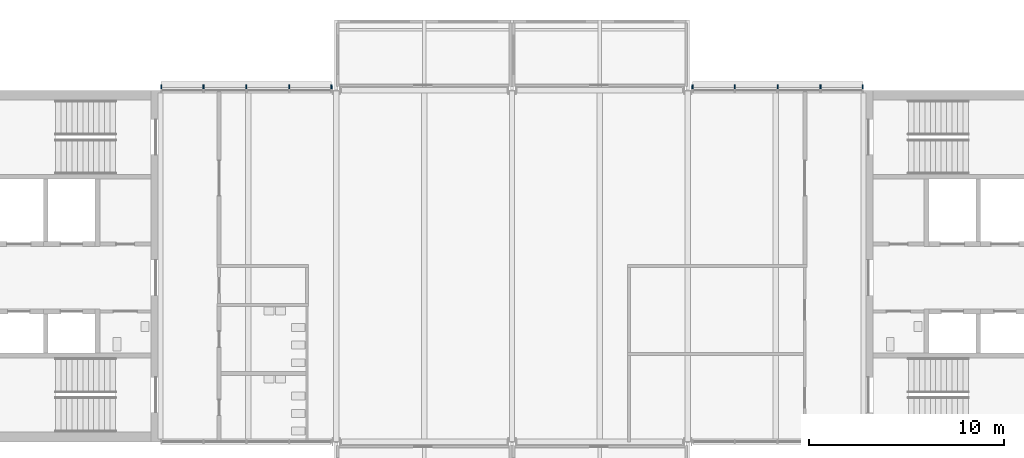
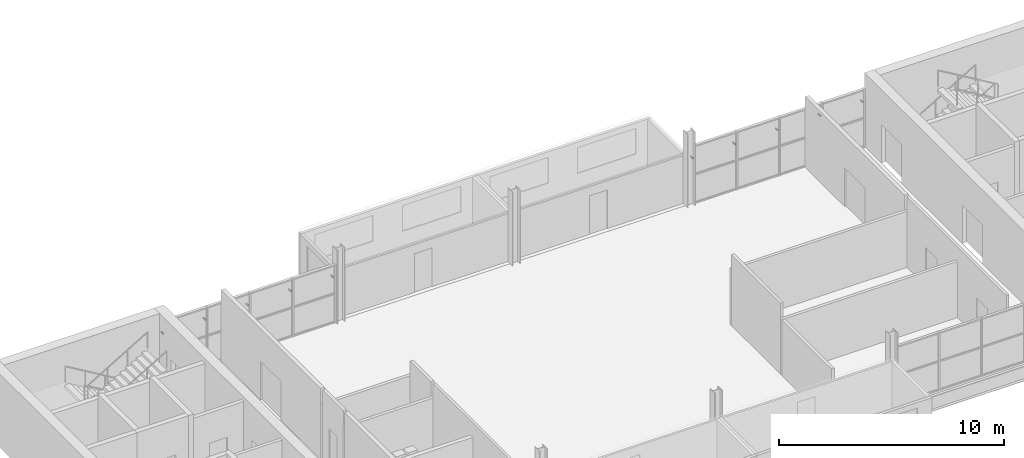
# One storey, part 8 of 10: 10 discrete accessories.
"""IFC4 building model written with IfcOpenShell, lengths in metres."""

from ifc_helpers import new_model, si_unit, direction, frame, origin, origin_2d, place, context, subcontext, project, spatial, rectangle, extrude, material, type_object, element, save


model = new_model("IFC4")

# Units and contexts
model_context = context("Model", 3, precision=1e-05, world=origin(), true_north=direction((0.0, 1.0)))
body_context = subcontext(model_context, "Body", "Model", "MODEL_VIEW")
ifc_project = project(units=[si_unit("LENGTHUNIT", "METRE"), si_unit("AREAUNIT", "SQUARE_METRE"), si_unit("VOLUMEUNIT", "CUBIC_METRE"), si_unit("PLANEANGLEUNIT", "RADIAN"), si_unit("MASSUNIT", "GRAM", prefix="KILO")], contexts=[model_context])

# Site, building, storey
site_placement = place(None, origin())
site = spatial("IfcSite", under=ifc_project, at=site_placement, CompositionType="ELEMENT")
building_placement = place(site_placement, origin())
building = spatial("IfcBuilding", under=site, at=building_placement, Name="Corbel Yard City Hall", CompositionType="ELEMENT")
storey_placement = place(building_placement, frame((0.0, 0.0, 27.199951171875)))
storey = spatial("IfcBuildingStorey", under=building, at=storey_placement, Name="L06", CompositionType="ELEMENT", Elevation=27.199951171875)

# Discrete accessories
ifc_material = material(Name="Steel Grade 300 (300 MPa yield)", Category="steel")
discrete_accessory_type = type_object("IfcDiscreteAccessoryType", Name="BK1", PredefinedType="BRACKET", material=ifc_material)
for number, where, z_axis, x_axis, name in (
    (1, (9.032470703125, 117.18994140625, 2.33251953125), (0.0, 0.0, 1.0), (1.0, 0.0, 0.0), "Louvre bracket"),
    (2, (11.1982421875, 117.18994140625, 2.33251953125), (0.0, 0.0, 1.0), (1.0, 0.0, 0.0), "Louvre bracket"),
    (3, (13.396484375, 117.18994140625, 2.33251953125), (0.0, 0.0, 1.0), (1.0, 0.0, 0.0), "Louvre bracket"),
    (4, (15.5947265625, 117.18994140625, 2.33251953125), (0.0, 0.0, 1.0), (1.0, 0.0, 0.0), "Louvre bracket"),
    (5, (17.760498046875, 117.18994140625, 2.33251953125), (0.0, 0.0, 1.0), (1.0, 0.0, 0.0), "Louvre bracket"),
    (6, (36.239501953125, 117.18994140625, 2.33251953125), (0.0, 0.0, 1.0), (1.0, 0.0, 0.0), "Louvre bracket"),
    (7, (38.4052734375, 117.18994140625, 2.33251953125), (0.0, 0.0, 1.0), (1.0, 0.0, 0.0), "Louvre bracket"),
    (8, (40.603515625, 117.18994140625, 2.33251953125), (0.0, 0.0, 1.0), (1.0, 0.0, 0.0), "Louvre bracket"),
    (9, (42.8017578125, 117.18994140625, 2.33251953125), (0.0, 0.0, 1.0), (1.0, 0.0, 0.0), "Louvre bracket"),
    (10, (44.967529296875, 117.18994140625, 2.33251953125), (0.0, 0.0, 1.0), (1.0, 0.0, 0.0), "Louvre bracket"),
):
    element("IfcDiscreteAccessory", number, at=place(storey_placement, frame(where, z_axis=z_axis, x_axis=x_axis)), inside=storey, type_object=discrete_accessory_type, Name=name, PredefinedType="BRACKET", context=body_context, shape_type="SweptSolid", body=[
        extrude(rectangle(XDim=0.06005859375, YDim=0.199951171875, at=origin_2d()), origin(), (0.0, 0.0, 1.0), 0.06005859375),
    ])

save(model, "model.ifc")
